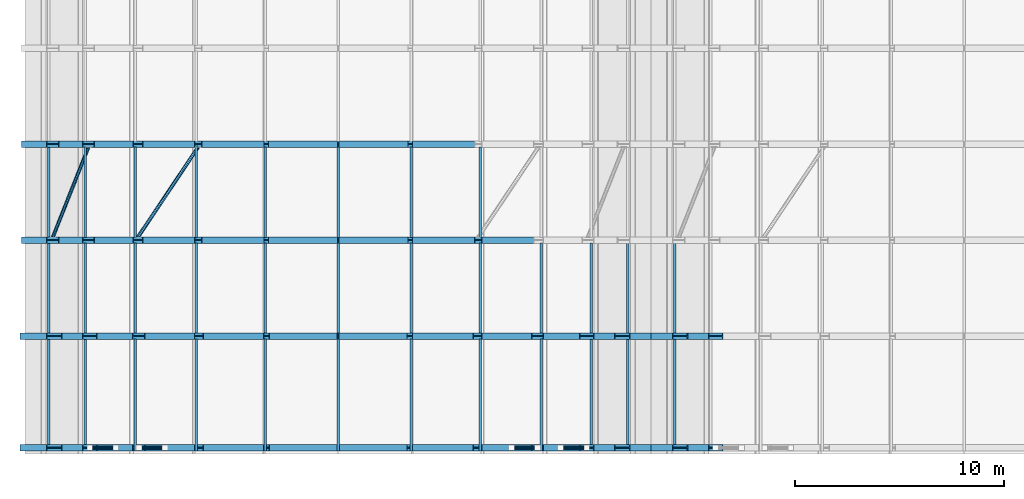
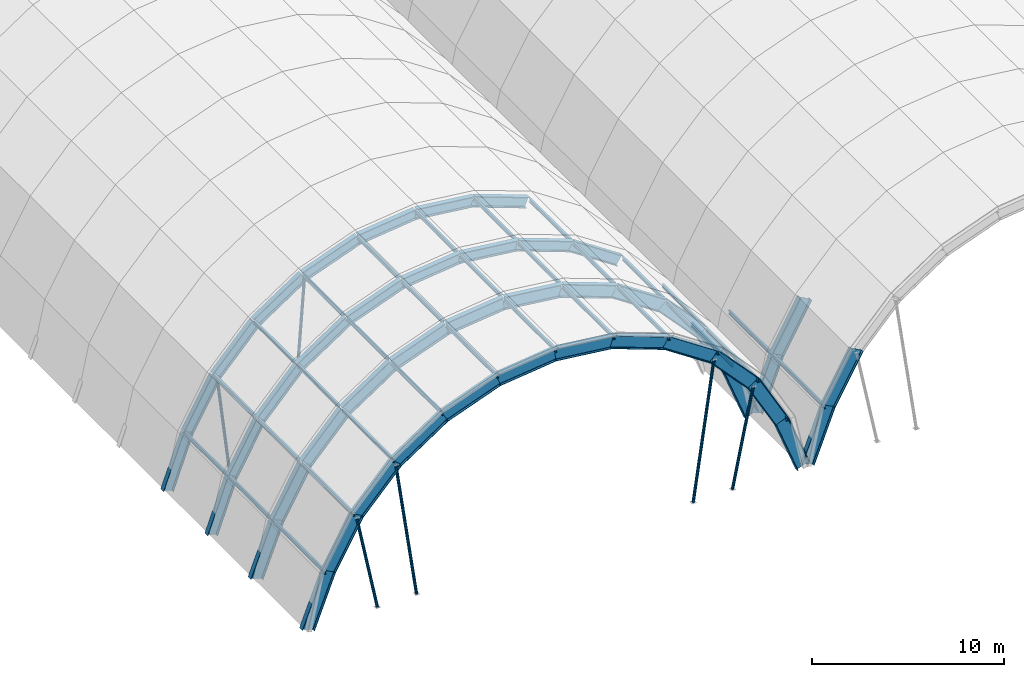
# One storey, part 7 of 47: 77 beams, 6 members.
"""IFC4 building model written with IfcOpenShell, lengths in metres."""

from ifc_helpers import new_model, si_unit, direction, frame, origin, origin_2d, place, context, subcontext, project, spatial, hollow_circle, i_section, extrude, material, material_profile, profile_set, type_object, element, save


model = new_model("IFC4")

# Units and contexts
model_context = context("Model", 3, precision=1e-05, world=origin(), true_north=direction((0.0, 1.0)))
body_context = subcontext(model_context, "Body", "Model", "MODEL_VIEW")
ifc_project = project(units=[si_unit("LENGTHUNIT", "METRE"), si_unit("AREAUNIT", "SQUARE_METRE"), si_unit("VOLUMEUNIT", "CUBIC_METRE"), si_unit("PLANEANGLEUNIT", "RADIAN"), si_unit("MASSUNIT", "GRAM", prefix="KILO")], contexts=[model_context])

# Site, building, storey
site_placement = place(None, origin())
site = spatial("IfcSite", under=ifc_project, at=site_placement, CompositionType="ELEMENT")
building_placement = place(site_placement, origin())
building = spatial("IfcBuilding", under=site, at=building_placement, Name="Muzn Square Opera House", CompositionType="ELEMENT")
storey_placement = place(building_placement, frame((0.0, 0.0, 31.0)))
storey = spatial("IfcBuildingStorey", under=building, at=storey_placement, Name="RF-1", CompositionType="ELEMENT", Elevation=31.0)

# Beams
ifc_material = material(Name="Steel S355", Category="steel")
ifc_material_profile_1 = material_profile(ifc_material, i_section(OverallWidth=0.300048828125, OverallDepth=0.800048828125, WebThickness=0.017578125, FlangeThickness=0.032958984375, FilletRadius=0.030029296875, at=origin_2d()), Name="HEB 800", Category="steel")
ifc_profile_set_1 = profile_set([ifc_material_profile_1], Name="Steel S355")
beam_type_1 = type_object("IfcBeamType", Name="Gable Arch Rib HEB800", PredefinedType="BEAM", material=ifc_profile_set_1)
beam_1_placement = place(storey_placement, frame((43.1201171875, 21.25, -12.550048828125), z_axis=(0.362708999619, 0.0, 0.931902452832), x_axis=(0.0, 1.0, 0.0)))
element("IfcBeam", 1, at=beam_1_placement, inside=storey, type_object=beam_type_1, Name="Barrel Vault Arch Rib V1-00-S00", PredefinedType="BEAM", context=body_context, shape_type="SweptSolid", body=[
    extrude(i_section(OverallWidth=0.300048828125, OverallDepth=0.800048828125, WebThickness=0.017578125, FlangeThickness=0.032958984375, FilletRadius=0.030029296875, at=origin_2d()), origin(), (0.0, 0.0, 1.0), 3.49755859375),
])
beam_2_placement = place(storey_placement, frame((44.388671875, 21.25, -9.290771484375), z_axis=(0.492117762624, 0.0, 0.870528636927), x_axis=(0.0, 1.0, 0.0)))
element("IfcBeam", 2, at=beam_2_placement, inside=storey, type_object=beam_type_1, Name="Barrel Vault Arch Rib V1-00-S01", PredefinedType="BEAM", context=body_context, shape_type="SweptSolid", body=[
    extrude(i_section(OverallWidth=0.300048828125, OverallDepth=0.800048828125, WebThickness=0.017578125, FlangeThickness=0.032958984375, FilletRadius=0.030029296875, at=origin_2d()), origin(), (0.0, 0.0, 1.0), 3.456787109375),
])
beam_3_placement = place(storey_placement, frame((46.08984375, 21.25, -6.281494140625), z_axis=(0.681076644636, 0.0, 0.732212130555), x_axis=(0.0, 1.0, 0.0)))
element("IfcBeam", 3, at=beam_3_placement, inside=storey, type_object=beam_type_1, Name="Barrel Vault Arch Rib V1-00-S02", PredefinedType="BEAM", context=body_context, shape_type="SweptSolid", body=[
    extrude(i_section(OverallWidth=0.300048828125, OverallDepth=0.800048828125, WebThickness=0.017578125, FlangeThickness=0.032958984375, FilletRadius=0.030029296875, at=origin_2d()), origin(), (0.0, 0.0, 1.0), 3.45654296875),
])
for number, where, z_axis, x_axis, name in (
    (4, (48.444091796875, 21.25, -3.75048828125), (0.832701668502, 0.0, 0.553721889827), (0.0, 1.0, 0.0), "Barrel Vault Arch Rib V1-00-S03"),
    (5, (51.322509765625, 21.25, -1.83642578125), (0.938647830501, 0.0, 0.344877152471), (0.0, 1.0, 0.0), "Barrel Vault Arch Rib V1-00-S04"),
):
    element("IfcBeam", number, at=place(storey_placement, frame(where, z_axis=z_axis, x_axis=x_axis)), inside=storey, type_object=beam_type_1, Name=name, PredefinedType="BEAM", context=body_context, shape_type="SweptSolid", body=[
        extrude(i_section(OverallWidth=0.300048828125, OverallDepth=0.800048828125, WebThickness=0.017578125, FlangeThickness=0.032958984375, FilletRadius=0.030029296875, at=origin_2d()), origin(), (0.0, 0.0, 1.0), 3.456787109375),
    ])
for number, where, z_axis, x_axis, name in (
    (6, (54.567138671875, 21.25, -0.644287109375), (0.99313613312, 0.0, 0.116964187216), (0.0, 1.0, 0.0), "Barrel Vault Arch Rib V1-00-S05"),
    (7, (58.0, 21.25, -0.239990234375), (0.99313613312, 0.0, -0.116964187216), (0.0, 1.0, 0.0), "Barrel Vault Arch Rib V1-00-S06"),
):
    element("IfcBeam", number, at=place(storey_placement, frame(where, z_axis=z_axis, x_axis=x_axis)), inside=storey, type_object=beam_type_1, Name=name, PredefinedType="BEAM", context=body_context, shape_type="SweptSolid", body=[
        extrude(i_section(OverallWidth=0.300048828125, OverallDepth=0.800048828125, WebThickness=0.017578125, FlangeThickness=0.032958984375, FilletRadius=0.030029296875, at=origin_2d()), origin(), (0.0, 0.0, 1.0), 3.45654296875),
    ])
for number, where, z_axis, x_axis, name in (
    (8, (61.432861328125, 21.25, -0.644287109375), (0.938647830501, 0.0, -0.344877152471), (0.0, 1.0, 0.0), "Barrel Vault Arch Rib V1-00-S07"),
    (9, (64.677490234375, 21.25, -1.83642578125), (0.832701668502, 0.0, -0.553721889827), (0.0, 1.0, 0.0), "Barrel Vault Arch Rib V1-00-S08"),
):
    element("IfcBeam", number, at=place(storey_placement, frame(where, z_axis=z_axis, x_axis=x_axis)), inside=storey, type_object=beam_type_1, Name=name, PredefinedType="BEAM", context=body_context, shape_type="SweptSolid", body=[
        extrude(i_section(OverallWidth=0.300048828125, OverallDepth=0.800048828125, WebThickness=0.017578125, FlangeThickness=0.032958984375, FilletRadius=0.030029296875, at=origin_2d()), origin(), (0.0, 0.0, 1.0), 3.456787109375),
    ])
beam_4_placement = place(storey_placement, frame((67.555908203125, 21.25, -3.75048828125), z_axis=(0.681076644636, 0.0, -0.732212130555), x_axis=(0.0, 1.0, 0.0)))
element("IfcBeam", 10, at=beam_4_placement, inside=storey, type_object=beam_type_1, Name="Barrel Vault Arch Rib V1-00-S09", PredefinedType="BEAM", context=body_context, shape_type="SweptSolid", body=[
    extrude(i_section(OverallWidth=0.300048828125, OverallDepth=0.800048828125, WebThickness=0.017578125, FlangeThickness=0.032958984375, FilletRadius=0.030029296875, at=origin_2d()), origin(), (0.0, 0.0, 1.0), 3.45654296875),
])
beam_5_placement = place(storey_placement, frame((69.91015625, 21.25, -6.281494140625), z_axis=(0.492117762624, 0.0, -0.870528636927), x_axis=(0.0, 1.0, 0.0)))
element("IfcBeam", 11, at=beam_5_placement, inside=storey, type_object=beam_type_1, Name="Barrel Vault Arch Rib V1-00-S10", PredefinedType="BEAM", context=body_context, shape_type="SweptSolid", body=[
    extrude(i_section(OverallWidth=0.300048828125, OverallDepth=0.800048828125, WebThickness=0.017578125, FlangeThickness=0.032958984375, FilletRadius=0.030029296875, at=origin_2d()), origin(), (0.0, 0.0, 1.0), 3.456787109375),
])
for number, where, z_axis, x_axis, name in (
    (12, (71.611328125, 21.25, -9.290771484375), (0.362708999619, 0.0, -0.931902452832), (0.0, 1.0, 0.0), "Barrel Vault Arch Rib V1-00-S11"),
    (13, (43.1201171875, 26.60009765625, -12.550048828125), (0.362708999619, 0.0, 0.931902452832), (0.0, 1.0, 0.0), "Barrel Vault Arch Rib V1-01-S00"),
):
    element("IfcBeam", number, at=place(storey_placement, frame(where, z_axis=z_axis, x_axis=x_axis)), inside=storey, type_object=beam_type_1, Name=name, PredefinedType="BEAM", context=body_context, shape_type="SweptSolid", body=[
        extrude(i_section(OverallWidth=0.300048828125, OverallDepth=0.800048828125, WebThickness=0.017578125, FlangeThickness=0.032958984375, FilletRadius=0.030029296875, at=origin_2d()), origin(), (0.0, 0.0, 1.0), 3.49755859375),
    ])
beam_6_placement = place(storey_placement, frame((44.388671875, 26.60009765625, -9.290771484375), z_axis=(0.492117762624, 0.0, 0.870528636927), x_axis=(0.0, 1.0, 0.0)))
element("IfcBeam", 14, at=beam_6_placement, inside=storey, type_object=beam_type_1, Name="Barrel Vault Arch Rib V1-01-S01", PredefinedType="BEAM", context=body_context, shape_type="SweptSolid", body=[
    extrude(i_section(OverallWidth=0.300048828125, OverallDepth=0.800048828125, WebThickness=0.017578125, FlangeThickness=0.032958984375, FilletRadius=0.030029296875, at=origin_2d()), origin(), (0.0, 0.0, 1.0), 3.456787109375),
])
beam_7_placement = place(storey_placement, frame((46.08984375, 26.60009765625, -6.281494140625), z_axis=(0.681076644636, 0.0, 0.732212130555), x_axis=(0.0, 1.0, 0.0)))
element("IfcBeam", 15, at=beam_7_placement, inside=storey, type_object=beam_type_1, Name="Barrel Vault Arch Rib V1-01-S02", PredefinedType="BEAM", context=body_context, shape_type="SweptSolid", body=[
    extrude(i_section(OverallWidth=0.300048828125, OverallDepth=0.800048828125, WebThickness=0.017578125, FlangeThickness=0.032958984375, FilletRadius=0.030029296875, at=origin_2d()), origin(), (0.0, 0.0, 1.0), 3.45654296875),
])
for number, where, z_axis, x_axis, name in (
    (16, (48.444091796875, 26.60009765625, -3.75048828125), (0.832701668502, 0.0, 0.553721889827), (0.0, 1.0, 0.0), "Barrel Vault Arch Rib V1-01-S03"),
    (17, (51.322509765625, 26.60009765625, -1.83642578125), (0.938647830501, 0.0, 0.344877152471), (0.0, 1.0, 0.0), "Barrel Vault Arch Rib V1-01-S04"),
):
    element("IfcBeam", number, at=place(storey_placement, frame(where, z_axis=z_axis, x_axis=x_axis)), inside=storey, type_object=beam_type_1, Name=name, PredefinedType="BEAM", context=body_context, shape_type="SweptSolid", body=[
        extrude(i_section(OverallWidth=0.300048828125, OverallDepth=0.800048828125, WebThickness=0.017578125, FlangeThickness=0.032958984375, FilletRadius=0.030029296875, at=origin_2d()), origin(), (0.0, 0.0, 1.0), 3.456787109375),
    ])
for number, where, z_axis, x_axis, name in (
    (18, (54.567138671875, 26.60009765625, -0.644287109375), (0.99313613312, 0.0, 0.116964187216), (0.0, 1.0, 0.0), "Barrel Vault Arch Rib V1-01-S05"),
    (19, (58.0, 26.60009765625, -0.239990234375), (0.99313613312, 0.0, -0.116964187216), (0.0, 1.0, 0.0), "Barrel Vault Arch Rib V1-01-S06"),
):
    element("IfcBeam", number, at=place(storey_placement, frame(where, z_axis=z_axis, x_axis=x_axis)), inside=storey, type_object=beam_type_1, Name=name, PredefinedType="BEAM", context=body_context, shape_type="SweptSolid", body=[
        extrude(i_section(OverallWidth=0.300048828125, OverallDepth=0.800048828125, WebThickness=0.017578125, FlangeThickness=0.032958984375, FilletRadius=0.030029296875, at=origin_2d()), origin(), (0.0, 0.0, 1.0), 3.45654296875),
    ])
for number, where, z_axis, x_axis, name in (
    (20, (61.432861328125, 26.60009765625, -0.644287109375), (0.938647830501, 0.0, -0.344877152471), (0.0, 1.0, 0.0), "Barrel Vault Arch Rib V1-01-S07"),
    (21, (64.677490234375, 26.60009765625, -1.83642578125), (0.832701668502, 0.0, -0.553721889827), (0.0, 1.0, 0.0), "Barrel Vault Arch Rib V1-01-S08"),
):
    element("IfcBeam", number, at=place(storey_placement, frame(where, z_axis=z_axis, x_axis=x_axis)), inside=storey, type_object=beam_type_1, Name=name, PredefinedType="BEAM", context=body_context, shape_type="SweptSolid", body=[
        extrude(i_section(OverallWidth=0.300048828125, OverallDepth=0.800048828125, WebThickness=0.017578125, FlangeThickness=0.032958984375, FilletRadius=0.030029296875, at=origin_2d()), origin(), (0.0, 0.0, 1.0), 3.456787109375),
    ])
beam_8_placement = place(storey_placement, frame((67.555908203125, 26.60009765625, -3.75048828125), z_axis=(0.681076644636, 0.0, -0.732212130555), x_axis=(0.0, 1.0, 0.0)))
element("IfcBeam", 22, at=beam_8_placement, inside=storey, type_object=beam_type_1, Name="Barrel Vault Arch Rib V1-01-S09", PredefinedType="BEAM", context=body_context, shape_type="SweptSolid", body=[
    extrude(i_section(OverallWidth=0.300048828125, OverallDepth=0.800048828125, WebThickness=0.017578125, FlangeThickness=0.032958984375, FilletRadius=0.030029296875, at=origin_2d()), origin(), (0.0, 0.0, 1.0), 3.45654296875),
])
beam_9_placement = place(storey_placement, frame((69.91015625, 26.60009765625, -6.281494140625), z_axis=(0.492117762624, 0.0, -0.870528636927), x_axis=(0.0, 1.0, 0.0)))
element("IfcBeam", 23, at=beam_9_placement, inside=storey, type_object=beam_type_1, Name="Barrel Vault Arch Rib V1-01-S10", PredefinedType="BEAM", context=body_context, shape_type="SweptSolid", body=[
    extrude(i_section(OverallWidth=0.300048828125, OverallDepth=0.800048828125, WebThickness=0.017578125, FlangeThickness=0.032958984375, FilletRadius=0.030029296875, at=origin_2d()), origin(), (0.0, 0.0, 1.0), 3.456787109375),
])
for number, where, z_axis, x_axis, name in (
    (24, (71.611328125, 26.60009765625, -9.290771484375), (0.362708999619, 0.0, -0.931902452832), (0.0, 1.0, 0.0), "Barrel Vault Arch Rib V1-01-S11"),
    (25, (73.1201171875, 21.25, -12.550048828125), (0.362708999619, 0.0, 0.931902452832), (0.0, 1.0, 0.0), "Barrel Vault Arch Rib V2-00-S00"),
):
    element("IfcBeam", number, at=place(storey_placement, frame(where, z_axis=z_axis, x_axis=x_axis)), inside=storey, type_object=beam_type_1, Name=name, PredefinedType="BEAM", context=body_context, shape_type="SweptSolid", body=[
        extrude(i_section(OverallWidth=0.300048828125, OverallDepth=0.800048828125, WebThickness=0.017578125, FlangeThickness=0.032958984375, FilletRadius=0.030029296875, at=origin_2d()), origin(), (0.0, 0.0, 1.0), 3.49755859375),
    ])
beam_10_placement = place(storey_placement, frame((74.388671875, 21.25, -9.290771484375), z_axis=(0.492117762624, 0.0, 0.870528636927), x_axis=(0.0, 1.0, 0.0)))
element("IfcBeam", 26, at=beam_10_placement, inside=storey, type_object=beam_type_1, Name="Barrel Vault Arch Rib V2-00-S01", PredefinedType="BEAM", context=body_context, shape_type="SweptSolid", body=[
    extrude(i_section(OverallWidth=0.300048828125, OverallDepth=0.800048828125, WebThickness=0.017578125, FlangeThickness=0.032958984375, FilletRadius=0.030029296875, at=origin_2d()), origin(), (0.0, 0.0, 1.0), 3.456787109375),
])
beam_11_placement = place(storey_placement, frame((73.1201171875, 26.60009765625, -12.550048828125), z_axis=(0.362708999619, 0.0, 0.931902452832), x_axis=(0.0, 1.0, 0.0)))
element("IfcBeam", 27, at=beam_11_placement, inside=storey, type_object=beam_type_1, Name="Barrel Vault Arch Rib V2-01-S00", PredefinedType="BEAM", context=body_context, shape_type="SweptSolid", body=[
    extrude(i_section(OverallWidth=0.300048828125, OverallDepth=0.800048828125, WebThickness=0.017578125, FlangeThickness=0.032958984375, FilletRadius=0.030029296875, at=origin_2d()), origin(), (0.0, 0.0, 1.0), 3.49755859375),
])
beam_12_placement = place(storey_placement, frame((74.388671875, 26.60009765625, -9.290771484375), z_axis=(0.492117762624, 0.0, 0.870528636927), x_axis=(0.0, 1.0, 0.0)))
element("IfcBeam", 28, at=beam_12_placement, inside=storey, type_object=beam_type_1, Name="Barrel Vault Arch Rib V2-01-S01", PredefinedType="BEAM", context=body_context, shape_type="SweptSolid", body=[
    extrude(i_section(OverallWidth=0.300048828125, OverallDepth=0.800048828125, WebThickness=0.017578125, FlangeThickness=0.032958984375, FilletRadius=0.030029296875, at=origin_2d()), origin(), (0.0, 0.0, 1.0), 3.456787109375),
])
ifc_material_profile_2 = material_profile(ifc_material, i_section(OverallWidth=0.1201171875, OverallDepth=0.239990234375, WebThickness=0.006103515625, FlangeThickness=0.009765625, FilletRadius=0.014892578125, at=origin_2d()), Name="IPE 240", Category="steel")
ifc_profile_set_2 = profile_set([ifc_material_profile_2], Name="Steel S355")
beam_type_2 = type_object("IfcBeamType", Name="Roof Purlin IPE240", PredefinedType="USERDEFINED", material=ifc_profile_set_2)
for number, where, z_axis, x_axis, name in (
    (29, (44.130615234375, 21.090087890625, -9.1826171875), (0.0, 1.0, 0.0), (-1.0, 0.0, 0.0), "Barrel Vault Roof Purlin V1-00-P02"),
    (30, (45.86376953125, 21.090087890625, -6.1162109375), (0.0, 1.0, 0.0), (-1.0, 0.0, 0.0), "Barrel Vault Roof Purlin V1-00-P04"),
    (31, (48.2626953125, 21.090087890625, -3.537109375), (0.0, 1.0, 0.0), (-1.0, 0.0, 0.0), "Barrel Vault Roof Purlin V1-00-P06"),
    (32, (51.19580078125, 21.090087890625, -1.5869140625), (0.0, 1.0, 0.0), (-1.0, 0.0, 0.0), "Barrel Vault Roof Purlin V1-00-P08"),
    (33, (54.501953125, 21.090087890625, -0.3720703125), (0.0, 1.0, 0.0), (-1.0, 0.0, 0.0), "Barrel Vault Roof Purlin V1-00-P10"),
    (34, (58.0, 21.090087890625, 0.0400390625), (0.0, 1.0, 0.0), (-1.0, 0.0, 0.0), "Barrel Vault Roof Purlin V1-00-P12"),
    (35, (61.498046875, 21.090087890625, -0.3720703125), (0.0, 1.0, 0.0), (-1.0, 0.0, 0.0), "Barrel Vault Roof Purlin V1-00-P14"),
    (36, (64.80419921875, 21.090087890625, -1.5869140625), (0.0, 1.0, 0.0), (-1.0, 0.0, 0.0), "Barrel Vault Roof Purlin V1-00-P16"),
    (37, (67.7373046875, 21.090087890625, -3.537109375), (0.0, 1.0, 0.0), (-1.0, 0.0, 0.0), "Barrel Vault Roof Purlin V1-00-P18"),
    (38, (70.13623046875, 21.090087890625, -6.1162109375), (0.0, 1.0, 0.0), (-1.0, 0.0, 0.0), "Barrel Vault Roof Purlin V1-00-P20"),
    (39, (71.869384765625, 21.090087890625, -9.1826171875), (0.0, 1.0, 0.0), (-1.0, 0.0, 0.0), "Barrel Vault Roof Purlin V1-00-P22"),
):
    element("IfcBeam", number, at=place(storey_placement, frame(where, z_axis=z_axis, x_axis=x_axis)), inside=storey, type_object=beam_type_2, Name=name, ObjectType="PURLIN", PredefinedType="USERDEFINED", context=body_context, shape_type="SweptSolid", body=[
        extrude(i_section(OverallWidth=0.1201171875, OverallDepth=0.239990234375, WebThickness=0.006103515625, FlangeThickness=0.009765625, FilletRadius=0.014892578125, at=origin_2d()), origin(), (0.0, 0.0, 1.0), 5.369873046875),
    ])
for number, where, z_axis, x_axis, name in (
    (40, (44.130615234375, 26.739990234375, -9.1826171875), (0.0, 1.0, 0.0), (-1.0, 0.0, 0.0), "Barrel Vault Roof Purlin V1-01-P02"),
    (41, (45.86376953125, 26.739990234375, -6.1162109375), (0.0, 1.0, 0.0), (-1.0, 0.0, 0.0), "Barrel Vault Roof Purlin V1-01-P04"),
    (42, (48.2626953125, 26.739990234375, -3.537109375), (0.0, 1.0, 0.0), (-1.0, 0.0, 0.0), "Barrel Vault Roof Purlin V1-01-P06"),
    (43, (51.19580078125, 26.739990234375, -1.5869140625), (0.0, 1.0, 0.0), (-1.0, 0.0, 0.0), "Barrel Vault Roof Purlin V1-01-P08"),
    (44, (54.501953125, 26.739990234375, -0.3720703125), (0.0, 1.0, 0.0), (-1.0, 0.0, 0.0), "Barrel Vault Roof Purlin V1-01-P10"),
    (45, (58.0, 26.739990234375, 0.0400390625), (0.0, 1.0, 0.0), (-1.0, 0.0, 0.0), "Barrel Vault Roof Purlin V1-01-P12"),
    (46, (61.498046875, 26.739990234375, -0.3720703125), (0.0, 1.0, 0.0), (-1.0, 0.0, 0.0), "Barrel Vault Roof Purlin V1-01-P14"),
    (47, (64.80419921875, 26.739990234375, -1.5869140625), (0.0, 1.0, 0.0), (-1.0, 0.0, 0.0), "Barrel Vault Roof Purlin V1-01-P16"),
    (48, (67.7373046875, 26.739990234375, -3.537109375), (0.0, 1.0, 0.0), (-1.0, 0.0, 0.0), "Barrel Vault Roof Purlin V1-01-P18"),
    (49, (70.13623046875, 26.739990234375, -6.1162109375), (0.0, 1.0, 0.0), (-1.0, 0.0, 0.0), "Barrel Vault Roof Purlin V1-01-P20"),
    (50, (71.869384765625, 26.739990234375, -9.1826171875), (0.0, 1.0, 0.0), (-1.0, 0.0, 0.0), "Barrel Vault Roof Purlin V1-01-P22"),
):
    element("IfcBeam", number, at=place(storey_placement, frame(where, z_axis=z_axis, x_axis=x_axis)), inside=storey, type_object=beam_type_2, Name=name, ObjectType="PURLIN", PredefinedType="USERDEFINED", context=body_context, shape_type="SweptSolid", body=[
        extrude(i_section(OverallWidth=0.1201171875, OverallDepth=0.239990234375, WebThickness=0.006103515625, FlangeThickness=0.009765625, FilletRadius=0.014892578125, at=origin_2d()), origin(), (0.0, 0.0, 1.0), 4.320068359375),
    ])
for number, where, z_axis, x_axis, name in (
    (51, (44.130615234375, 31.340087890625, -9.1826171875), (0.0, 1.0, 0.0), (-1.0, 0.0, 0.0), "Barrel Vault Roof Purlin V1-02-P02"),
    (52, (45.86376953125, 31.340087890625, -6.1162109375), (0.0, 1.0, 0.0), (-1.0, 0.0, 0.0), "Barrel Vault Roof Purlin V1-02-P04"),
    (53, (48.2626953125, 31.340087890625, -3.537109375), (0.0, 1.0, 0.0), (-1.0, 0.0, 0.0), "Barrel Vault Roof Purlin V1-02-P06"),
    (54, (51.19580078125, 31.340087890625, -1.5869140625), (0.0, 1.0, 0.0), (-1.0, 0.0, 0.0), "Barrel Vault Roof Purlin V1-02-P08"),
    (55, (54.501953125, 31.340087890625, -0.3720703125), (0.0, 1.0, 0.0), (-1.0, 0.0, 0.0), "Barrel Vault Roof Purlin V1-02-P10"),
    (56, (58.0, 31.340087890625, 0.0400390625), (0.0, 1.0, 0.0), (-1.0, 0.0, 0.0), "Barrel Vault Roof Purlin V1-02-P12"),
    (57, (61.498046875, 31.340087890625, -0.3720703125), (0.0, 1.0, 0.0), (-1.0, 0.0, 0.0), "Barrel Vault Roof Purlin V1-02-P14"),
    (58, (64.80419921875, 31.340087890625, -1.5869140625), (0.0, 1.0, 0.0), (-1.0, 0.0, 0.0), "Barrel Vault Roof Purlin V1-02-P16"),
):
    element("IfcBeam", number, at=place(storey_placement, frame(where, z_axis=z_axis, x_axis=x_axis)), inside=storey, type_object=beam_type_2, Name=name, ObjectType="PURLIN", PredefinedType="USERDEFINED", context=body_context, shape_type="SweptSolid", body=[
        extrude(i_section(OverallWidth=0.1201171875, OverallDepth=0.239990234375, WebThickness=0.006103515625, FlangeThickness=0.009765625, FilletRadius=0.014892578125, at=origin_2d()), origin(), (0.0, 0.0, 1.0), 4.31982421875),
    ])
beam_13_placement = place(storey_placement, frame((74.130615234375, 21.090087890625, -9.1826171875), z_axis=(0.0, 1.0, 0.0), x_axis=(-1.0, 0.0, 0.0)))
element("IfcBeam", 59, at=beam_13_placement, inside=storey, type_object=beam_type_2, Name="Barrel Vault Roof Purlin V2-00-P02", ObjectType="PURLIN", PredefinedType="USERDEFINED", context=body_context, shape_type="SweptSolid", body=[
    extrude(i_section(OverallWidth=0.1201171875, OverallDepth=0.239990234375, WebThickness=0.006103515625, FlangeThickness=0.009765625, FilletRadius=0.014892578125, at=origin_2d()), origin(), (0.0, 0.0, 1.0), 5.369873046875),
])
beam_14_placement = place(storey_placement, frame((74.130615234375, 26.739990234375, -9.1826171875), z_axis=(0.0, 1.0, 0.0), x_axis=(-1.0, 0.0, 0.0)))
element("IfcBeam", 60, at=beam_14_placement, inside=storey, type_object=beam_type_2, Name="Barrel Vault Roof Purlin V2-01-P02", ObjectType="PURLIN", PredefinedType="USERDEFINED", context=body_context, shape_type="SweptSolid", body=[
    extrude(i_section(OverallWidth=0.1201171875, OverallDepth=0.239990234375, WebThickness=0.006103515625, FlangeThickness=0.009765625, FilletRadius=0.014892578125, at=origin_2d()), origin(), (0.0, 0.0, 1.0), 4.320068359375),
])
ifc_material_profile_3 = material_profile(ifc_material, i_section(OverallWidth=0.300048828125, OverallDepth=0.64990234375, WebThickness=0.01611328125, FlangeThickness=0.031005859375, FilletRadius=0.027099609375, at=origin_2d()), Name="HEB 650", Category="steel")
ifc_profile_set_3 = profile_set([ifc_material_profile_3], Name="Steel S355")
beam_type_3 = type_object("IfcBeamType", Name="Vault Arch Rib HEB650", PredefinedType="BEAM", material=ifc_profile_set_3)
beam_15_placement = place(storey_placement, frame((43.1201171875, 31.199951171875, -12.550048828125), z_axis=(0.342678144973, 0.0, 0.93945286681), x_axis=(0.0, 1.0, 0.0)))
element("IfcBeam", 61, at=beam_15_placement, inside=storey, type_object=beam_type_3, Name="Barrel Vault Arch Rib V1-02-S00", PredefinedType="BEAM", context=body_context, shape_type="SweptSolid", body=[
    extrude(i_section(OverallWidth=0.300048828125, OverallDepth=0.64990234375, WebThickness=0.01611328125, FlangeThickness=0.031005859375, FilletRadius=0.027099609375, at=origin_2d()), origin(), (0.0, 0.0, 1.0), 3.500244140625),
])
beam_16_placement = place(storey_placement, frame((44.319580078125, 31.199951171875, -9.26171875), z_axis=(0.492115144444, 0.0, 0.870530117003), x_axis=(0.0, 1.0, 0.0)))
element("IfcBeam", 62, at=beam_16_placement, inside=storey, type_object=beam_type_3, Name="Barrel Vault Arch Rib V1-02-S01", PredefinedType="BEAM", context=body_context, shape_type="SweptSolid", body=[
    extrude(i_section(OverallWidth=0.300048828125, OverallDepth=0.64990234375, WebThickness=0.01611328125, FlangeThickness=0.031005859375, FilletRadius=0.027099609375, at=origin_2d()), origin(), (0.0, 0.0, 1.0), 3.47412109375),
])
for number, where, z_axis, x_axis, name in (
    (63, (46.029296875, 31.199951171875, -6.2373046875), (0.681065393401, 0.0, 0.732222595876), (0.0, 1.0, 0.0), "Barrel Vault Arch Rib V1-02-S02"),
    (64, (48.3955078125, 31.199951171875, -3.693359375), (0.832698370736, 0.0, 0.553726849063), (0.0, 1.0, 0.0), "Barrel Vault Arch Rib V1-02-S03"),
):
    element("IfcBeam", number, at=place(storey_placement, frame(where, z_axis=z_axis, x_axis=x_axis)), inside=storey, type_object=beam_type_3, Name=name, PredefinedType="BEAM", context=body_context, shape_type="SweptSolid", body=[
        extrude(i_section(OverallWidth=0.300048828125, OverallDepth=0.64990234375, WebThickness=0.01611328125, FlangeThickness=0.031005859375, FilletRadius=0.027099609375, at=origin_2d()), origin(), (0.0, 0.0, 1.0), 3.474365234375),
    ])
beam_17_placement = place(storey_placement, frame((51.28857421875, 31.199951171875, -1.76953125), z_axis=(0.938661867851, 0.0, 0.344838944789), x_axis=(0.0, 1.0, 0.0)))
element("IfcBeam", 65, at=beam_17_placement, inside=storey, type_object=beam_type_3, Name="Barrel Vault Arch Rib V1-02-S04", PredefinedType="BEAM", context=body_context, shape_type="SweptSolid", body=[
    extrude(i_section(OverallWidth=0.300048828125, OverallDepth=0.64990234375, WebThickness=0.01611328125, FlangeThickness=0.031005859375, FilletRadius=0.027099609375, at=origin_2d()), origin(), (0.0, 0.0, 1.0), 3.47412109375),
])
for number, where, z_axis, x_axis, name in (
    (66, (54.549560546875, 31.199951171875, -0.571533203125), (0.993131884792, 0.0, 0.117000253887), (0.0, 1.0, 0.0), "Barrel Vault Arch Rib V1-02-S05"),
    (67, (58.0, 31.199951171875, -0.1650390625), (0.993131884792, 0.0, -0.117000253887), (0.0, 1.0, 0.0), "Barrel Vault Arch Rib V1-02-S06"),
):
    element("IfcBeam", number, at=place(storey_placement, frame(where, z_axis=z_axis, x_axis=x_axis)), inside=storey, type_object=beam_type_3, Name=name, PredefinedType="BEAM", context=body_context, shape_type="SweptSolid", body=[
        extrude(i_section(OverallWidth=0.300048828125, OverallDepth=0.64990234375, WebThickness=0.01611328125, FlangeThickness=0.031005859375, FilletRadius=0.027099609375, at=origin_2d()), origin(), (0.0, 0.0, 1.0), 3.474365234375),
    ])
beam_18_placement = place(storey_placement, frame((61.450439453125, 31.199951171875, -0.571533203125), z_axis=(0.938661867851, 0.0, -0.344838944789), x_axis=(0.0, 1.0, 0.0)))
element("IfcBeam", 68, at=beam_18_placement, inside=storey, type_object=beam_type_3, Name="Barrel Vault Arch Rib V1-02-S07", PredefinedType="BEAM", context=body_context, shape_type="SweptSolid", body=[
    extrude(i_section(OverallWidth=0.300048828125, OverallDepth=0.64990234375, WebThickness=0.01611328125, FlangeThickness=0.031005859375, FilletRadius=0.027099609375, at=origin_2d()), origin(), (0.0, 0.0, 1.0), 3.47412109375),
])
beam_19_placement = place(storey_placement, frame((64.71142578125, 31.199951171875, -1.76953125), z_axis=(0.832698370736, 0.0, -0.553726849063), x_axis=(0.0, 1.0, 0.0)))
element("IfcBeam", 69, at=beam_19_placement, inside=storey, type_object=beam_type_3, Name="Barrel Vault Arch Rib V1-02-S08", PredefinedType="BEAM", context=body_context, shape_type="SweptSolid", body=[
    extrude(i_section(OverallWidth=0.300048828125, OverallDepth=0.64990234375, WebThickness=0.01611328125, FlangeThickness=0.031005859375, FilletRadius=0.027099609375, at=origin_2d()), origin(), (0.0, 0.0, 1.0), 3.474365234375),
])
beam_20_placement = place(storey_placement, frame((43.1201171875, 35.800048828125, -12.550048828125), z_axis=(0.342678144973, 0.0, 0.93945286681), x_axis=(0.0, 1.0, 0.0)))
element("IfcBeam", 70, at=beam_20_placement, inside=storey, type_object=beam_type_3, Name="Barrel Vault Arch Rib V1-03-S00", PredefinedType="BEAM", context=body_context, shape_type="SweptSolid", body=[
    extrude(i_section(OverallWidth=0.300048828125, OverallDepth=0.64990234375, WebThickness=0.01611328125, FlangeThickness=0.031005859375, FilletRadius=0.027099609375, at=origin_2d()), origin(), (0.0, 0.0, 1.0), 3.500244140625),
])
beam_21_placement = place(storey_placement, frame((44.319580078125, 35.800048828125, -9.26171875), z_axis=(0.492115144444, 0.0, 0.870530117003), x_axis=(0.0, 1.0, 0.0)))
element("IfcBeam", 71, at=beam_21_placement, inside=storey, type_object=beam_type_3, Name="Barrel Vault Arch Rib V1-03-S01", PredefinedType="BEAM", context=body_context, shape_type="SweptSolid", body=[
    extrude(i_section(OverallWidth=0.300048828125, OverallDepth=0.64990234375, WebThickness=0.01611328125, FlangeThickness=0.031005859375, FilletRadius=0.027099609375, at=origin_2d()), origin(), (0.0, 0.0, 1.0), 3.47412109375),
])
for number, where, z_axis, x_axis, name in (
    (72, (46.029296875, 35.800048828125, -6.2373046875), (0.681065393401, 0.0, 0.732222595876), (0.0, 1.0, 0.0), "Barrel Vault Arch Rib V1-03-S02"),
    (73, (48.3955078125, 35.800048828125, -3.693359375), (0.832698370736, 0.0, 0.553726849063), (0.0, 1.0, 0.0), "Barrel Vault Arch Rib V1-03-S03"),
):
    element("IfcBeam", number, at=place(storey_placement, frame(where, z_axis=z_axis, x_axis=x_axis)), inside=storey, type_object=beam_type_3, Name=name, PredefinedType="BEAM", context=body_context, shape_type="SweptSolid", body=[
        extrude(i_section(OverallWidth=0.300048828125, OverallDepth=0.64990234375, WebThickness=0.01611328125, FlangeThickness=0.031005859375, FilletRadius=0.027099609375, at=origin_2d()), origin(), (0.0, 0.0, 1.0), 3.474365234375),
    ])
beam_22_placement = place(storey_placement, frame((51.28857421875, 35.800048828125, -1.76953125), z_axis=(0.938661867851, 0.0, 0.344838944789), x_axis=(0.0, 1.0, 0.0)))
element("IfcBeam", 74, at=beam_22_placement, inside=storey, type_object=beam_type_3, Name="Barrel Vault Arch Rib V1-03-S04", PredefinedType="BEAM", context=body_context, shape_type="SweptSolid", body=[
    extrude(i_section(OverallWidth=0.300048828125, OverallDepth=0.64990234375, WebThickness=0.01611328125, FlangeThickness=0.031005859375, FilletRadius=0.027099609375, at=origin_2d()), origin(), (0.0, 0.0, 1.0), 3.47412109375),
])
for number, where, z_axis, x_axis, name in (
    (75, (54.549560546875, 35.800048828125, -0.571533203125), (0.993131884792, 0.0, 0.117000253887), (0.0, 1.0, 0.0), "Barrel Vault Arch Rib V1-03-S05"),
    (76, (58.0, 35.800048828125, -0.1650390625), (0.993131884792, 0.0, -0.117000253887), (0.0, 1.0, 0.0), "Barrel Vault Arch Rib V1-03-S06"),
):
    element("IfcBeam", number, at=place(storey_placement, frame(where, z_axis=z_axis, x_axis=x_axis)), inside=storey, type_object=beam_type_3, Name=name, PredefinedType="BEAM", context=body_context, shape_type="SweptSolid", body=[
        extrude(i_section(OverallWidth=0.300048828125, OverallDepth=0.64990234375, WebThickness=0.01611328125, FlangeThickness=0.031005859375, FilletRadius=0.027099609375, at=origin_2d()), origin(), (0.0, 0.0, 1.0), 3.474365234375),
    ])
beam_23_placement = place(storey_placement, frame((61.450439453125, 35.800048828125, -0.571533203125), z_axis=(0.938661867851, 0.0, -0.344838944789), x_axis=(0.0, 1.0, 0.0)))
element("IfcBeam", 77, at=beam_23_placement, inside=storey, type_object=beam_type_3, Name="Barrel Vault Arch Rib V1-03-S07", PredefinedType="BEAM", context=body_context, shape_type="SweptSolid", body=[
    extrude(i_section(OverallWidth=0.300048828125, OverallDepth=0.64990234375, WebThickness=0.01611328125, FlangeThickness=0.031005859375, FilletRadius=0.027099609375, at=origin_2d()), origin(), (0.0, 0.0, 1.0), 3.47412109375),
])

# Members
ifc_material_profile_4 = material_profile(ifc_material, hollow_circle(Radius=0.084228515625, WallThickness=0.010009765625, at=origin_2d()), Name="CHS 168.3x10", Category="steel")
ifc_profile_set_4 = profile_set([ifc_material_profile_4], Name="Steel S355")
member_type = type_object("IfcMemberType", Name="Vault Wind Brace CHS168", PredefinedType="BRACE", material=ifc_profile_set_4)
member_1_placement = place(storey_placement, frame((47.33984375, 21.25, -12.580078125), z_axis=(-0.200166815988, 0.0, 0.979761831149), x_axis=(0.0, -1.0, 0.0)))
element("IfcMember", 78, at=member_1_placement, inside=storey, type_object=member_type, Name="Exposed South Gable Arch Truss Web V1-W01", PredefinedType="BRACE", context=body_context, shape_type="SweptSolid", body=[
    extrude(hollow_circle(Radius=0.084228515625, WallThickness=0.010009765625, at=origin_2d()), origin(), (0.0, 0.0, 1.0), 6.244873046875),
])
for number, where, z_axis, x_axis, name in (
    (79, (49.694091796875, 21.25, -12.580078125), (-0.143032519622, 0.0, 0.989717989293), (0.0, -1.0, 0.0), "Exposed South Gable Arch Truss Web V1-W02"),
    (80, (66.305908203125, 21.25, -12.580078125), (0.143032519622, 0.0, 0.989717989293), (0.0, 1.0, 0.0), "Exposed South Gable Arch Truss Web V1-W03"),
):
    element("IfcMember", number, at=place(storey_placement, frame(where, z_axis=z_axis, x_axis=x_axis)), inside=storey, type_object=member_type, Name=name, PredefinedType="BRACE", context=body_context, shape_type="SweptSolid", body=[
        extrude(hollow_circle(Radius=0.084228515625, WallThickness=0.010009765625, at=origin_2d()), origin(), (0.0, 0.0, 1.0), 8.7392578125),
    ])
member_2_placement = place(storey_placement, frame((68.66015625, 21.25, -12.580078125), z_axis=(0.200166815988, 0.0, 0.979761831149), x_axis=(0.0, 1.0, 0.0)))
element("IfcMember", 81, at=member_2_placement, inside=storey, type_object=member_type, Name="Exposed South Gable Arch Truss Web V1-W04", PredefinedType="BRACE", context=body_context, shape_type="SweptSolid", body=[
    extrude(hollow_circle(Radius=0.084228515625, WallThickness=0.010009765625, at=origin_2d()), origin(), (0.0, 0.0, 1.0), 6.244873046875),
])
member_3_placement = place(storey_placement, frame((44.319580078125, 31.340087890625, -9.26171875), z_axis=(0.30841477359, 0.779250464645, 0.545572214085), x_axis=(-0.929822347688, 0.368008697912, 0.0)))
element("IfcMember", 82, at=member_3_placement, inside=storey, type_object=member_type, Name="Barrel Vault Wind Brace V1-02-04", PredefinedType="BRACE", context=body_context, shape_type="SweptSolid", body=[
    extrude(hollow_circle(Radius=0.084228515625, WallThickness=0.010009765625, at=origin_2d()), origin(), (0.0, 0.0, 1.0), 5.54345703125),
])
member_4_placement = place(storey_placement, frame((48.3955078125, 31.340087890625, -3.693359375), z_axis=(0.521872241446, 0.77924113419, 0.347034030599), x_axis=(-0.830878099966, 0.556454475223, 0.0)))
element("IfcMember", 83, at=member_4_placement, inside=storey, type_object=member_type, Name="Barrel Vault Wind Brace V1-02-08", PredefinedType="BRACE", context=body_context, shape_type="SweptSolid", body=[
    extrude(hollow_circle(Radius=0.084228515625, WallThickness=0.010009765625, at=origin_2d()), origin(), (0.0, 0.0, 1.0), 5.543701171875),
])

save(model, "model.ifc")
